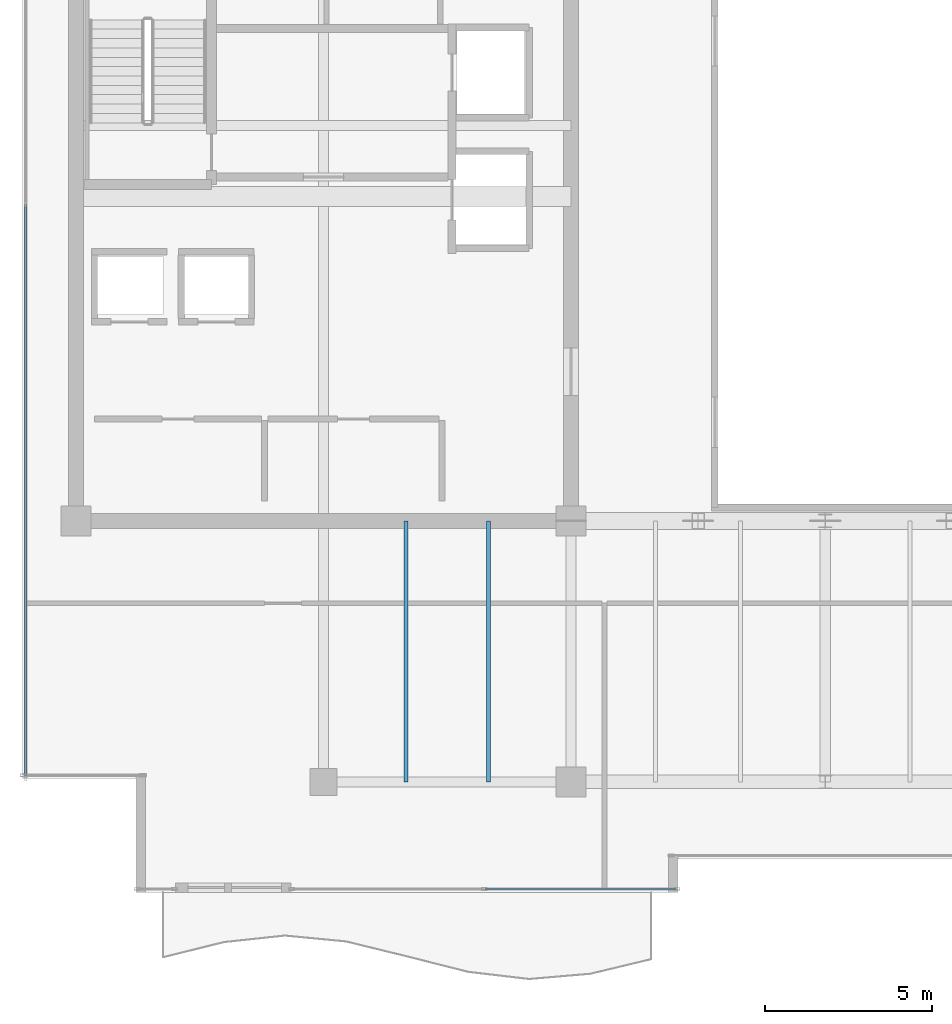
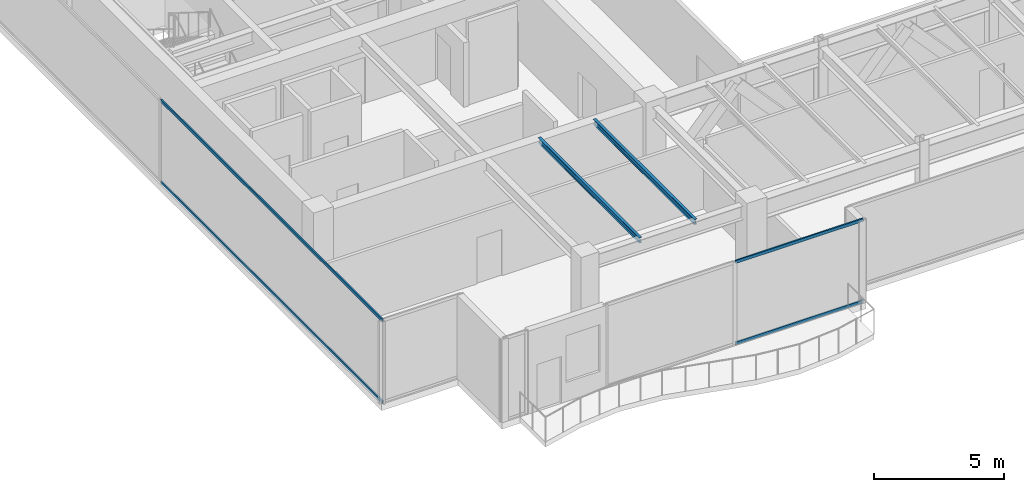
# One storey, part 5 of 31: 4 members, 2 beams, 2 elements without a shape of their own.
"""IFC4 building model written with IfcOpenShell, lengths in metres."""

from ifc_helpers import new_model, si_unit, direction, frame, origin, origin_2d, place, context, subcontext, project, spatial, hollow_rectangle, i_section, extrude, source, transform, mapped, material, layer, layer_set, material_profile, profile_set, type_object, type_shapes, element, aggregate, save


model = new_model("IFC4")

# Units and contexts
model_context = context("Model", 3, precision=1e-05, world=origin(), true_north=direction((0.0, 1.0)))
body_context = subcontext(model_context, "Body", "Model", "MODEL_VIEW")
ifc_project = project(units=[si_unit("LENGTHUNIT", "METRE"), si_unit("AREAUNIT", "SQUARE_METRE"), si_unit("VOLUMEUNIT", "CUBIC_METRE"), si_unit("PLANEANGLEUNIT", "RADIAN"), si_unit("MASSUNIT", "GRAM", prefix="KILO")], contexts=[model_context])

# Site, building, storey
site_placement = place(None, origin())
site = spatial("IfcSite", under=ifc_project, at=site_placement, CompositionType="ELEMENT")
building_placement = place(site_placement, origin())
building = spatial("IfcBuilding", under=site, at=building_placement, Name="Haelvirn Gate Laboratories", CompositionType="ELEMENT")
storey_placement = place(building_placement, frame((0.0, 0.0, 310.199951171875)))
storey = spatial("IfcBuildingStorey", under=building, at=storey_placement, Name="L74", CompositionType="ELEMENT", Elevation=310.199951171875)

# Beams
ifc_material_1 = material(Name="Steel SM355", Category="steel")
ifc_material_profile_1 = material_profile(ifc_material_1, i_section(OverallWidth=0.125, OverallDepth=0.25, WebThickness=0.006103515625, FlangeThickness=0.009033203125, at=origin_2d()), Name="H-250x125x6x9")
ifc_profile_set_1 = profile_set([ifc_material_profile_1], Name="Steel SM355")
beam_type = type_object("IfcBeamType", Name="BM-J-250", PredefinedType="JOIST", material=ifc_profile_set_1)
shared_shape_1 = source(origin(), body_context, "Body", "SweptSolid", [
    extrude(i_section(OverallWidth=0.125, OverallDepth=0.25, WebThickness=0.006103515625, FlangeThickness=0.009033203125, at=origin_2d()), origin(), (0.0, 0.0, 1.0), 7.800048828125),
])
type_shapes(beam_type, [shared_shape_1])
for number, where, z_axis, x_axis, name in (
    (1, (17.27001953125, 7.0, 3.775146484375), (0.0, 1.0, 0.0), (-1.0, 0.0, 0.0), "L74 Composite Lab Joist South X17.27"),
    (2, (19.72998046875, 7.0, 3.775146484375), (0.0, 1.0, 0.0), (-1.0, 0.0, 0.0), "L74 Composite Lab Joist South X19.73"),
):
    element("IfcBeam", number, at=place(storey_placement, frame(where, z_axis=z_axis, x_axis=x_axis)), inside=storey, type_object=beam_type, Name=name, PredefinedType="JOIST", context=body_context, shape_type="MappedRepresentation", body=[
        mapped(shared_shape_1, transform((0.0, 0.0, 0.0), scale=1.0)),
    ])

# Curtain wall, members
ifc_material_2 = material(Name="Anodised bronze unitised aluminium & triple low-E glass", Category="aluminium")
ifc_layer = layer(ifc_material_2, 0.176025390625, Name="CW-SYS-4")
ifc_layer_set = layer_set([ifc_layer], Name="Anodised bronze unitised aluminium & triple low-E glass")
curtain_wall_type = type_object("IfcCurtainWallType", Name="CW-SYS-4", PredefinedType="NOTDEFINED", material=ifc_layer_set)
curtain_wall_1_placement = place(storey_placement, origin())
curtain_wall_1 = element("IfcCurtainWall", 3, at=curtain_wall_1_placement, inside=storey, type_object=curtain_wall_type, Name="L74 Unitised Curtain Wall CW-L74-P0-E17", PredefinedType="NOTDEFINED")
ifc_material_3 = material(Name="Extruded aluminium 6063-T6 (anodised bronze)", Category="aluminium")
ifc_material_profile_2 = material_profile(ifc_material_3, hollow_rectangle(XDim=0.06494140625, YDim=0.139892578125, WallThickness=0.00390625, at=origin_2d()), Name="CWT-140x65x4")
ifc_profile_set_2 = profile_set([ifc_material_profile_2], Name="Extruded aluminium 6063-T6 (anodised bronze)")
member_type = type_object("IfcMemberType", Name="CWT-T140", PredefinedType="USERDEFINED", material=ifc_profile_set_2)
shared_shape_2 = source(origin(), body_context, "Body", "SweptSolid", [
    extrude(hollow_rectangle(XDim=0.06494140625, YDim=0.139892578125, WallThickness=0.00390625, at=origin_2d()), origin(), (0.0, 0.0, 1.0), 17.094970703125),
])
member_1_placement = place(storey_placement, frame((5.89990234375, 24.264892578125, 0.032470703125), z_axis=(0.0, -1.0, 0.0), x_axis=(1.0, 0.0, 0.0)))
member_1 = element("IfcMember", 4, at=member_1_placement, type_object=member_type, Name="CW4 transom 2.1", ObjectType="TRANSOM", PredefinedType="USERDEFINED", context=body_context, shape_type="MappedRepresentation", body=[
    mapped(shared_shape_2, transform((0.0, 0.0, 0.0), scale=1.0)),
])
member_2_placement = place(storey_placement, frame((5.89990234375, 24.264892578125, 3.867431640625), z_axis=(0.0, -1.0, 0.0), x_axis=(1.0, 0.0, 0.0)))
member_2 = element("IfcMember", 5, at=member_2_placement, type_object=member_type, Name="CW4 transom 2.2", ObjectType="TRANSOM", PredefinedType="USERDEFINED", context=body_context, shape_type="MappedRepresentation", body=[
    mapped(shared_shape_2, transform((0.0, 0.0, 0.0), scale=1.0)),
])
aggregate(curtain_wall_1, [member_1, member_2])

curtain_wall_2_placement = place(storey_placement, origin())
curtain_wall_2 = element("IfcCurtainWall", 6, at=curtain_wall_2_placement, inside=storey, type_object=curtain_wall_type, Name="L74 Unitised Curtain Wall CW-L74-P0-E00-2", PredefinedType="NOTDEFINED")
shared_shape_3 = source(origin(), body_context, "Body", "SweptSolid", [
    extrude(hollow_rectangle(XDim=0.06494140625, YDim=0.139892578125, WallThickness=0.00390625, at=origin_2d()), origin(), (0.0, 0.0, 1.0), 5.68505859375),
])
type_shapes(member_type, [shared_shape_2, shared_shape_3])
member_3_placement = place(storey_placement, frame((19.64501953125, 3.800048828125, 0.032470703125), z_axis=(1.0, 0.0, 0.0), x_axis=(0.0, 1.0, 0.0)))
member_3 = element("IfcMember", 7, at=member_3_placement, type_object=member_type, Name="CW4 transom 2.1", ObjectType="TRANSOM", PredefinedType="USERDEFINED", context=body_context, shape_type="MappedRepresentation", body=[
    mapped(shared_shape_3, transform((0.0, 0.0, 0.0), scale=1.0)),
])
member_4_placement = place(storey_placement, frame((19.64501953125, 3.800048828125, 3.867431640625), z_axis=(1.0, 0.0, 0.0), x_axis=(0.0, 1.0, 0.0)))
member_4 = element("IfcMember", 8, at=member_4_placement, type_object=member_type, Name="CW4 transom 2.2", ObjectType="TRANSOM", PredefinedType="USERDEFINED", context=body_context, shape_type="MappedRepresentation", body=[
    mapped(shared_shape_3, transform((0.0, 0.0, 0.0), scale=1.0)),
])
aggregate(curtain_wall_2, [member_3, member_4])

save(model, "model.ifc")
